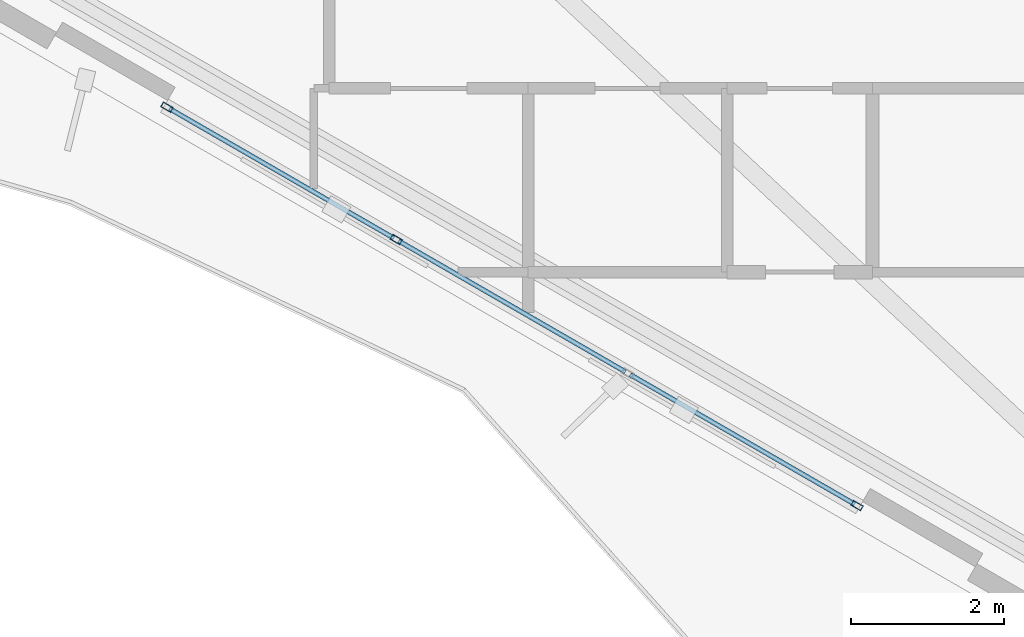
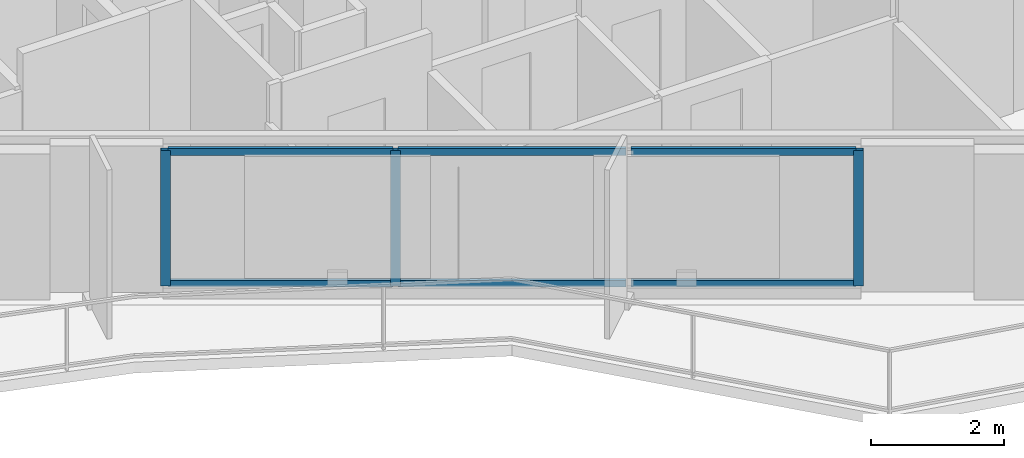
# One storey, part 2 of 19: 9 members, 1 element without a shape of its own.
"""IFC4 building model written with IfcOpenShell, lengths in metres."""

import ifcopenshell
import ifcopenshell.guid

model = None  # the IFC model being written
_history = None  # IfcOwnerHistory: only IFC2X3 demands one
_inside = {}  # id of a spatial element -> (the spatial element, [elements in it])
_under = {}  # id of a project, library or spatial element -> (it, [spatial elements below it])
_declared = {}  # id of a project -> (the project, [libraries it declares])
_typed = {}  # id of a type object -> (the type object, [elements of that type])
_made_of = {}  # id of a material, layer set ... -> (it, [elements and type objects made of it])


def new_model(schema):
    """Start an empty IFC model of exactly this schema.

    Asked for "IFC4X3", IfcOpenShell would pick the latest addendum, in which some entities
    have other attributes; the version numbers below select the first issue.
    IFC2X3 requires an IfcOwnerHistory on every rooted entity: one is made here for all.
    """
    global model, _history
    if schema == "IFC4X3":
        model = ifcopenshell.file(schema_version=(4, 3, 0, 0))
    else:
        model = ifcopenshell.file(schema=schema)
    _inside.clear()
    _under.clear()
    _declared.clear()
    _typed.clear()
    _made_of.clear()
    _history = None
    if model.schema == "IFC2X3":
        org = make("IfcOrganization", Name="unknown")
        user = make(
            "IfcPersonAndOrganization",
            ThePerson=make("IfcPerson", FamilyName="unknown"),
            TheOrganization=org,
        )
        app = make(
            "IfcApplication",
            ApplicationDeveloper=org,
            Version="unknown",
            ApplicationFullName="unknown",
            ApplicationIdentifier="unknown",
        )
        _history = make(
            "IfcOwnerHistory",
            OwningUser=user,
            OwningApplication=app,
            ChangeAction="ADDED",
            CreationDate=0,
        )
    return model


def make(cls, **values):
    """One entity of the class cls with the attributes given. An attribute that is None is left unset."""
    return model.create_entity(
        cls, **{name: value for name, value in values.items() if value is not None}
    )


def rooted(cls, **values):
    """An entity with a GlobalId (a new one), such as an element, a storey or a relation."""
    return make(cls, GlobalId=ifcopenshell.guid.new(), OwnerHistory=_history, **values)


def si_unit(unit_type, name, prefix=None):
    """IfcSIUnit, for example si_unit("LENGTHUNIT", "METRE", prefix="MILLI")."""
    return make("IfcSIUnit", UnitType=unit_type, Prefix=prefix, Name=name)


def assignment(units):
    """IfcUnitAssignment: the units of a project."""
    return None if units is None else make("IfcUnitAssignment", Units=units)


def point(xyz):
    """IfcCartesianPoint."""
    return None if xyz is None else make("IfcCartesianPoint", Coordinates=xyz)


def direction(xyz):
    """IfcDirection."""
    return None if xyz is None else make("IfcDirection", DirectionRatios=xyz)


def frame(location, z_axis=None, x_axis=None):
    """IfcAxis2Placement3D, a coordinate frame: its origin and axes. An axis left out is left unset."""
    return make(
        "IfcAxis2Placement3D",
        Location=point(location),
        Axis=direction(z_axis),
        RefDirection=direction(x_axis),
    )


def frame_2d(location, x_axis=None):
    """IfcAxis2Placement2D, a coordinate frame in the plane: its origin and x axis."""
    return make(
        "IfcAxis2Placement2D", Location=point(location), RefDirection=direction(x_axis)
    )


def origin():
    """The frame at (0, 0, 0) with its axes left unset."""
    return frame((0.0, 0.0, 0.0))


def origin_2d():
    """The frame at (0, 0) in the plane with its x axis left unset."""
    return frame_2d((0.0, 0.0))


def place(relative_to, where):
    """IfcLocalPlacement: puts the frame where relative to a parent placement (None: the world)."""
    return make(
        "IfcLocalPlacement", PlacementRelTo=relative_to, RelativePlacement=where
    )


def context(
    kind, dimensions, precision=None, world=None, true_north=None, identifier=None
):
    """IfcGeometricRepresentationContext, for example the 3D "Model" context."""
    return make(
        "IfcGeometricRepresentationContext",
        ContextIdentifier=identifier,
        ContextType=kind,
        CoordinateSpaceDimension=dimensions,
        Precision=precision,
        WorldCoordinateSystem=world,
        TrueNorth=true_north,
    )


def subcontext(parent, identifier, kind, view, scale=None):
    """IfcGeometricRepresentationSubContext, for example "Body" below "Model"."""
    return make(
        "IfcGeometricRepresentationSubContext",
        ContextIdentifier=identifier,
        ContextType=kind,
        ParentContext=parent,
        TargetScale=scale,
        TargetView=view,
    )


def project(units=None, contexts=None):
    """IfcProject with its units and contexts."""
    return rooted(
        "IfcProject",
        Name="project",
        RepresentationContexts=contexts,
        UnitsInContext=assignment(units),
    )


def spatial(cls, under=None, at=None, **own):
    """A site, building, storey or space (cls), placed at a placement, below another one or the project."""
    s = rooted(cls, ObjectPlacement=at, **own)
    if under is not None:
        _under.setdefault(under.id(), (under, []))[1].append(s)
    return s


def profile(cls, at=None, kind="AREA", **sizes):
    """A parametric profile (cls). Its sizes go by their IFC names, for example OverallWidth=200.0."""
    return make(cls, ProfileType=kind, Position=at, **sizes)


def hollow_rectangle(**sizes):
    """IfcRectangleHollowProfileDef."""
    return profile("IfcRectangleHollowProfileDef", **sizes)


def extrude(swept, where, along, depth):
    """IfcExtrudedAreaSolid: the profile swept, set in the frame where, extruded along a direction by depth."""
    return make(
        "IfcExtrudedAreaSolid",
        SweptArea=swept,
        Position=where,
        ExtrudedDirection=direction(along),
        Depth=depth,
    )


def shape(context_of_items, identifier, shape_type, items):
    """IfcShapeRepresentation: the items that make up one representation, for example the "Body"."""
    return make(
        "IfcShapeRepresentation",
        ContextOfItems=context_of_items,
        RepresentationIdentifier=identifier,
        RepresentationType=shape_type,
        Items=items,
    )


def material(Name=None, Category=None):
    """IfcMaterial."""
    return make("IfcMaterial", Name=Name, Category=Category)


def layer(
    of_material, thickness, ventilated=None, Name=None, Category=None, Priority=None
):
    """IfcMaterialLayer: one layer of a wall or slab, of a material (None: an air gap)."""
    return make(
        "IfcMaterialLayer",
        Material=of_material,
        LayerThickness=thickness,
        IsVentilated=ventilated,
        Name=Name,
        Category=Category,
        Priority=Priority,
    )


def layer_set(layers, Name=None):
    """IfcMaterialLayerSet."""
    return make("IfcMaterialLayerSet", MaterialLayers=layers, LayerSetName=Name)


def material_profile(
    of_material, cross_section, Name=None, Category=None, Priority=None
):
    """IfcMaterialProfile: a cross section and its material."""
    return make(
        "IfcMaterialProfile",
        Name=Name,
        Material=of_material,
        Profile=cross_section,
        Priority=Priority,
        Category=Category,
    )


def profile_set(profiles, Name=None, composite=None):
    """IfcMaterialProfileSet."""
    return make(
        "IfcMaterialProfileSet",
        Name=Name,
        MaterialProfiles=profiles,
        CompositeProfile=composite,
    )


def made_of(thing, what):
    """Note that an element or type object is made of a material, layer set ...; save() writes the relation."""
    if what is not None:
        _made_of.setdefault(what.id(), (what, []))[1].append(thing)
    return thing


def type_object(cls, material=None, **own):
    """A type object (cls), such as IfcWallType, which elements share."""
    return made_of(rooted(cls, **own), material)


def element(
    cls,
    number,
    at=None,
    inside=None,
    cuts=None,
    type_object=None,
    material=None,
    context=None,
    identifier="Body",
    shape_type=None,
    held_by="IfcProductDefinitionShape",
    body=None,
    shapes=None,
    **own,
):
    """One element of the class cls, such as IfcWall. Its Tag is "e" and its number.

    at: its placement. inside: the storey or other place that contains it. cuts: it is an
    opening in that element (IfcRelVoidsElement). A single representation is given by context,
    identifier, shape_type and body (its items); several are given by shapes. held_by: the class
    of the entity that holds the representations. save() writes the other relations.
    """
    e = rooted(cls, Tag="e%d" % number, ObjectPlacement=at, **own)
    if body is not None:
        shapes = [shape(context, identifier, shape_type, body)]
    if shapes is not None:
        e.Representation = make(held_by, Representations=shapes)
    if inside is not None:
        _inside.setdefault(inside.id(), (inside, []))[1].append(e)
    if cuts is not None:
        rooted(
            "IfcRelVoidsElement", RelatingBuildingElement=cuts, RelatedOpeningElement=e
        )
    if type_object is not None:
        _typed.setdefault(type_object.id(), (type_object, []))[1].append(e)
    return made_of(e, material)


def aggregate(whole, parts):
    """IfcRelAggregates: a whole, such as a stair, and the parts it consists of."""
    return rooted("IfcRelAggregates", RelatingObject=whole, RelatedObjects=parts)


def save(model, path):
    """Write the relations noted so far, then the file.

    IfcRelAggregates (storeys below a building ...), IfcRelContainedInSpatialStructure (elements
    in a storey), IfcRelDefinesByType, IfcRelAssociatesMaterial and IfcRelDeclares: one each for
    every whole, place, type object, material and project.
    """
    for whole, parts in _under.values():
        aggregate(whole, parts)
    for where, things in _inside.values():
        rooted(
            "IfcRelContainedInSpatialStructure",
            RelatedElements=things,
            RelatingStructure=where,
        )
    for kind, things in _typed.values():
        rooted("IfcRelDefinesByType", RelatedObjects=things, RelatingType=kind)
    for what, things in _made_of.values():
        rooted("IfcRelAssociatesMaterial", RelatedObjects=things, RelatingMaterial=what)
    for by, libraries in _declared.values():
        rooted("IfcRelDeclares", RelatingContext=by, RelatedDefinitions=libraries)
    model.write(path)


model = new_model("IFC4")

# Units and contexts
model_context = context("Model", 3, precision=1e-05, world=origin(), true_north=direction((0.0, 1.0)))
body_context = subcontext(model_context, "Body", "Model", "MODEL_VIEW")
ifc_project = project(units=[si_unit("LENGTHUNIT", "METRE"), si_unit("AREAUNIT", "SQUARE_METRE"), si_unit("VOLUMEUNIT", "CUBIC_METRE"), si_unit("PLANEANGLEUNIT", "RADIAN"), si_unit("MASSUNIT", "GRAM", prefix="KILO")], contexts=[model_context])

# Site, building, storey
site_placement = place(None, origin())
site = spatial("IfcSite", under=ifc_project, at=site_placement, CompositionType="ELEMENT")
building_placement = place(site_placement, origin())
building = spatial("IfcBuilding", under=site, at=building_placement, Name="Mersakhor Tower and Convention Hall", CompositionType="ELEMENT")
storey_placement = place(building_placement, frame((0.0, 0.0, 141.0)))
storey = spatial("IfcBuildingStorey", under=building, at=storey_placement, Name="L39", CompositionType="ELEMENT", Elevation=141.0)

# Curtain wall, members
ifc_material_1 = material(Name="Dark solar low-E aluminium curtain wall", Category="aluminium")
ifc_layer = layer(ifc_material_1, 0.169921875)
ifc_layer_set = layer_set([ifc_layer], Name="Dark solar low-E aluminium curtain wall")
curtain_wall_type = type_object("IfcCurtainWallType", Name="CW-SYS-02", PredefinedType="USERDEFINED", material=ifc_layer_set)
curtain_wall_placement = place(storey_placement, origin())
curtain_wall = element("IfcCurtainWall", 1, at=curtain_wall_placement, inside=storey, type_object=curtain_wall_type, Name="L39 Dark-Glass Curtain Wall F3-B2", ObjectType="CURTAIN WALL", PredefinedType="USERDEFINED")
ifc_material_2 = material(Name="Anodised aluminium EN AW-6063 T6", Category="aluminium")
ifc_material_profile_1 = material_profile(ifc_material_2, hollow_rectangle(XDim=0.074951171875, YDim=0.14990234375, WallThickness=0.00634765625, at=origin_2d()), Name="RHS 150x75x6.3")
ifc_profile_set_1 = profile_set([ifc_material_profile_1], Name="Anodised aluminium EN AW-6063 T6")
member_type_1 = type_object("IfcMemberType", Name="CWM-150x75", PredefinedType="MULLION", material=ifc_profile_set_1)
member_1_placement = place(storey_placement, frame((26.8984375, 12.69921875, 0.199951171875), z_axis=(0.0, 0.0, 1.0), x_axis=(-0.499990468363, -0.866030906807, 0.0)))
member_1 = element("IfcMember", 2, at=member_1_placement, type_object=member_type_1, Name="CW-02 mullion 1", PredefinedType="MULLION", context=body_context, shape_type="SweptSolid", body=[
    extrude(hollow_rectangle(XDim=0.074951171875, YDim=0.14990234375, WallThickness=0.00634765625, at=origin_2d()), origin(), (0.0, 0.0, 1.0), 2.47998046875),
])
member_2_placement = place(storey_placement, frame((20.876953125, 16.17578125, 0.199951171875), z_axis=(0.0, 0.0, 1.0), x_axis=(-0.499990468363, -0.866030906807, 0.0)))
member_2 = element("IfcMember", 3, at=member_2_placement, type_object=member_type_1, Name="CW-02 mullion 3", PredefinedType="MULLION", context=body_context, shape_type="SweptSolid", body=[
    extrude(hollow_rectangle(XDim=0.074951171875, YDim=0.14990234375, WallThickness=0.00634765625, at=origin_2d()), origin(), (0.0, 0.0, 1.0), 2.47998046875),
])
member_3_placement = place(storey_placement, frame((17.88232421875, 17.904541015625, 0.199951171875), z_axis=(0.0, 0.0, 1.0), x_axis=(-0.499990468363, -0.866030906807, 0.0)))
member_3 = element("IfcMember", 4, at=member_3_placement, type_object=member_type_1, Name="CW-02 mullion 4", PredefinedType="MULLION", context=body_context, shape_type="SweptSolid", body=[
    extrude(hollow_rectangle(XDim=0.074951171875, YDim=0.14990234375, WallThickness=0.00634765625, at=origin_2d()), origin(), (0.0, 0.0, 1.0), 2.47998046875),
])
ifc_material_3 = material(Name="Anodised aluminium EN AW-6063 T6", Category="aluminium")
ifc_material_profile_2 = material_profile(ifc_material_3, hollow_rectangle(XDim=0.06005859375, YDim=0.1201171875, WallThickness=0.0048828125, at=origin_2d()), Name="RHS 120x60x5")
ifc_profile_set_2 = profile_set([ifc_material_profile_2], Name="Anodised aluminium EN AW-6063 T6")
member_type_2 = type_object("IfcMemberType", Name="CWT-120x60", PredefinedType="USERDEFINED", material=ifc_profile_set_2)
member_4_placement = place(storey_placement, frame((26.865966796875, 12.718017578125, 0.22998046875), z_axis=(-0.866044963944, 0.49996611928, 0.0), x_axis=(-0.49996611928, -0.866044963944, 0.0)))
member_4 = element("IfcMember", 5, at=member_4_placement, type_object=member_type_2, Name="CW-02 transom 1.1", ObjectType="TRANSOM", PredefinedType="USERDEFINED", context=body_context, shape_type="SweptSolid", body=[
    extrude(hollow_rectangle(XDim=0.06005859375, YDim=0.1201171875, WallThickness=0.0048828125, at=origin_2d()), origin(), (0.0, 0.0, 1.0), 3.382568359375),
])
member_5_placement = place(storey_placement, frame((26.865966796875, 12.718017578125, 2.64990234375), z_axis=(-0.866044963944, 0.49996611928, 0.0), x_axis=(-0.49996611928, -0.866044963944, 0.0)))
member_5 = element("IfcMember", 6, at=member_5_placement, type_object=member_type_2, Name="CW-02 transom 1.2", ObjectType="TRANSOM", PredefinedType="USERDEFINED", context=body_context, shape_type="SweptSolid", body=[
    extrude(hollow_rectangle(XDim=0.06005859375, YDim=0.1201171875, WallThickness=0.0048828125, at=origin_2d()), origin(), (0.0, 0.0, 1.0), 3.382568359375),
])
member_6_placement = place(storey_placement, frame((23.871337890625, 14.44677734375, 0.22998046875), z_axis=(-0.866007273829, 0.50003140069, 0.0), x_axis=(-0.50003140069, -0.866007273829, 0.0)))
member_6 = element("IfcMember", 7, at=member_6_placement, type_object=member_type_2, Name="CW-02 transom 2.1", ObjectType="TRANSOM", PredefinedType="USERDEFINED", context=body_context, shape_type="SweptSolid", body=[
    extrude(hollow_rectangle(XDim=0.06005859375, YDim=0.1201171875, WallThickness=0.0048828125, at=origin_2d()), origin(), (0.0, 0.0, 1.0), 3.420166015625),
])
member_7_placement = place(storey_placement, frame((23.871337890625, 14.44677734375, 2.64990234375), z_axis=(-0.866007273829, 0.50003140069, 0.0), x_axis=(-0.50003140069, -0.866007273829, 0.0)))
member_7 = element("IfcMember", 8, at=member_7_placement, type_object=member_type_2, Name="CW-02 transom 2.2", ObjectType="TRANSOM", PredefinedType="USERDEFINED", context=body_context, shape_type="SweptSolid", body=[
    extrude(hollow_rectangle(XDim=0.06005859375, YDim=0.1201171875, WallThickness=0.0048828125, at=origin_2d()), origin(), (0.0, 0.0, 1.0), 3.420166015625),
])
member_8_placement = place(storey_placement, frame((20.844482421875, 16.1943359375, 0.22998046875), z_axis=(-0.866031754707, 0.499988999718, 0.0), x_axis=(-0.499988999718, -0.866031754707, 0.0)))
member_8 = element("IfcMember", 9, at=member_8_placement, type_object=member_type_2, Name="CW-02 transom 3.1", ObjectType="TRANSOM", PredefinedType="USERDEFINED", context=body_context, shape_type="SweptSolid", body=[
    extrude(hollow_rectangle(XDim=0.06005859375, YDim=0.1201171875, WallThickness=0.0048828125, at=origin_2d()), origin(), (0.0, 0.0, 1.0), 3.3828125),
])
member_9_placement = place(storey_placement, frame((20.844482421875, 16.1943359375, 2.64990234375), z_axis=(-0.866031754707, 0.499988999718, 0.0), x_axis=(-0.499988999718, -0.866031754707, 0.0)))
member_9 = element("IfcMember", 10, at=member_9_placement, type_object=member_type_2, Name="CW-02 transom 3.2", ObjectType="TRANSOM", PredefinedType="USERDEFINED", context=body_context, shape_type="SweptSolid", body=[
    extrude(hollow_rectangle(XDim=0.06005859375, YDim=0.1201171875, WallThickness=0.0048828125, at=origin_2d()), origin(), (0.0, 0.0, 1.0), 3.3828125),
])
aggregate(curtain_wall, [member_1, member_2, member_3, member_4, member_5, member_6, member_7, member_8, member_9])

save(model, "model.ifc")
